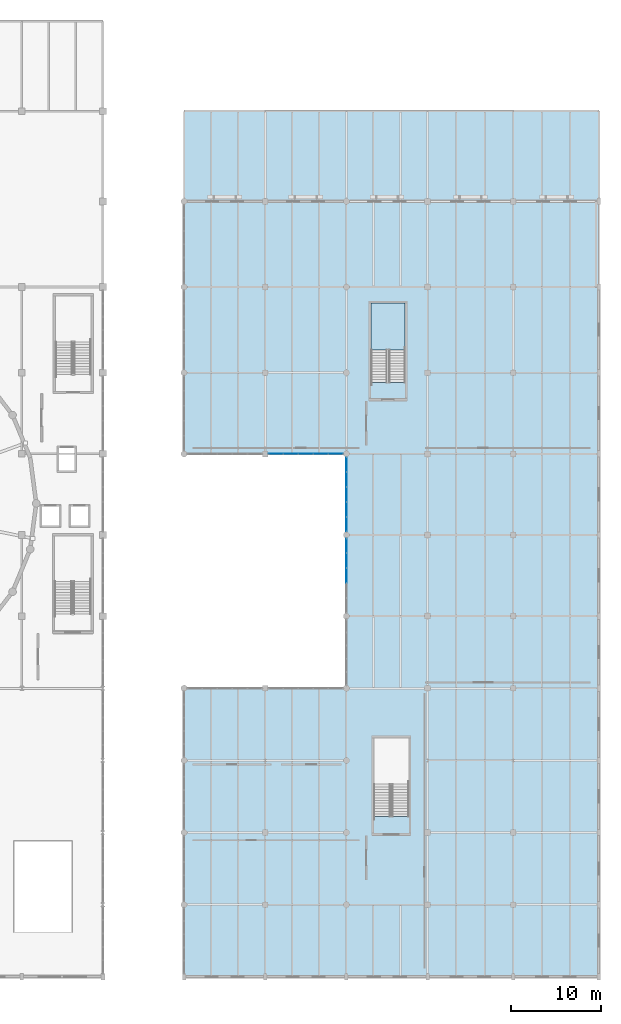
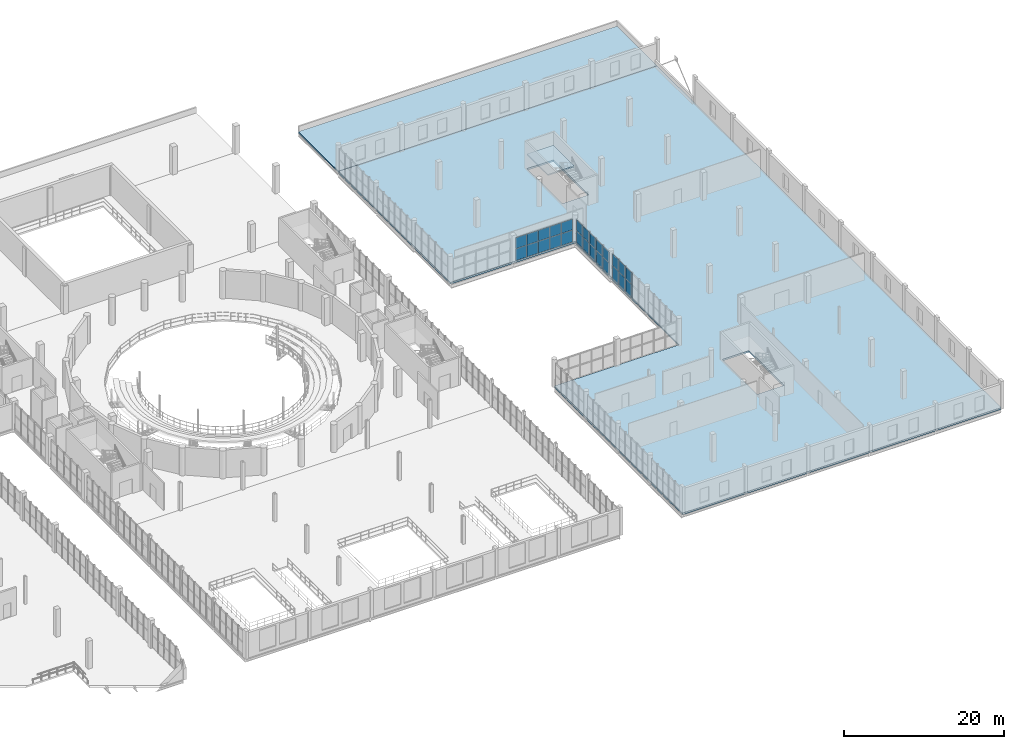
# One storey, part 57 of 85: 26 plates, 3 slabs, 4 elements without a shape of their own.
"""IFC4 building model written with IfcOpenShell, lengths in metres."""

from ifc_helpers import new_model, si_unit, direction, frame, origin, origin_2d, place, context, subcontext, project, spatial, polyline, rectangle, outline, extrude, material, layer, layer_set, type_object, element, aggregate, save


model = new_model("IFC4")

# Units and contexts
model_context = context("Model", 3, precision=1e-05, world=origin(), true_north=direction((0.0, 1.0)))
body_context = subcontext(model_context, "Body", "Model", "MODEL_VIEW")
ifc_project = project(units=[si_unit("LENGTHUNIT", "METRE"), si_unit("AREAUNIT", "SQUARE_METRE"), si_unit("VOLUMEUNIT", "CUBIC_METRE"), si_unit("PLANEANGLEUNIT", "RADIAN"), si_unit("MASSUNIT", "GRAM", prefix="KILO")], contexts=[model_context])

# Site, building, storey
site_placement = place(None, origin())
site = spatial("IfcSite", under=ifc_project, at=site_placement, CompositionType="ELEMENT")
building_placement = place(site_placement, origin())
building = spatial("IfcBuilding", under=site, at=building_placement, Name="Marnock Terrace Opera House", CompositionType="ELEMENT")
storey_placement = place(building_placement, frame((0.0, 0.0, 10.199951171875)))
storey = spatial("IfcBuildingStorey", under=building, at=storey_placement, Name="L02", CompositionType="ELEMENT", Elevation=10.199951171875)

# Curtain wall, plates
ifc_material_1 = material(Name="Anodised architectural bronze aluminium framing", Category="aluminium")
ifc_layer_1 = layer(ifc_material_1, 0.159912109375)
ifc_layer_set_1 = layer_set([ifc_layer_1], Name="Anodised architectural bronze aluminium framing")
curtain_wall_type = type_object("IfcCurtainWallType", Name="CW-LOGGIA-86x42", PredefinedType="NOTDEFINED", material=ifc_layer_set_1)
curtain_wall_1_placement = place(storey_placement, origin())
curtain_wall_1 = element("IfcCurtainWall", 1, at=curtain_wall_1_placement, inside=storey, type_object=curtain_wall_type, Name="L02 glazed Beaux-Arts colonnade curtain wall CW-V5-L02-CE2", PredefinedType="NOTDEFINED")
ifc_material_2 = material(Name="Double-glazed acoustic low-E laminated glass", Category="glass")
ifc_layer_2 = layer(ifc_material_2, 0.028076171875)
ifc_layer_set_2 = layer_set([ifc_layer_2], Name="Double-glazed acoustic low-E laminated glass")
plate_type = type_object("IfcPlateType", Name="CWP-GLZ-28", PredefinedType="CURTAIN_PANEL", material=ifc_layer_set_2)
plate_1_placement = place(storey_placement, frame((136.0, 52.5, 0.06005859375), z_axis=(0.0, 0.0, 1.0), x_axis=(0.0, 1.0, 0.0)))
plate_1 = element("IfcPlate", 2, at=plate_1_placement, type_object=plate_type, Name="CW-66 panel 3.1", PredefinedType="CURTAIN_PANEL", context=body_context, shape_type="SweptSolid", body=[
    extrude(rectangle(XDim=1.6015625, YDim=0.028076171875, at=origin_2d()), origin(), (0.0, 0.0, 1.0), 1.914306640625),
])
plate_2_placement = place(storey_placement, frame((136.0, 52.5, 2.0341796875), z_axis=(0.0, 0.0, 1.0), x_axis=(0.0, 1.0, 0.0)))
plate_2 = element("IfcPlate", 3, at=plate_2_placement, type_object=plate_type, Name="CW-66 panel 3.2", PredefinedType="CURTAIN_PANEL", context=body_context, shape_type="SweptSolid", body=[
    extrude(rectangle(XDim=1.6015625, YDim=0.028076171875, at=origin_2d()), origin(), (0.0, 0.0, 1.0), 1.760009765625),
])
plate_3_placement = place(storey_placement, frame((136.0, 54.16162109375, 0.06005859375), z_axis=(0.0, 0.0, 1.0), x_axis=(0.0, 1.0, 0.0)))
plate_3 = element("IfcPlate", 4, at=plate_3_placement, type_object=plate_type, Name="CW-66 panel 4.1", PredefinedType="CURTAIN_PANEL", context=body_context, shape_type="SweptSolid", body=[
    extrude(rectangle(XDim=1.6015625, YDim=0.028076171875, at=origin_2d()), origin(), (0.0, 0.0, 1.0), 1.914306640625),
])
plate_4_placement = place(storey_placement, frame((136.0, 54.16162109375, 2.0341796875), z_axis=(0.0, 0.0, 1.0), x_axis=(0.0, 1.0, 0.0)))
plate_4 = element("IfcPlate", 5, at=plate_4_placement, type_object=plate_type, Name="CW-66 panel 4.2", PredefinedType="CURTAIN_PANEL", context=body_context, shape_type="SweptSolid", body=[
    extrude(rectangle(XDim=1.6015625, YDim=0.028076171875, at=origin_2d()), origin(), (0.0, 0.0, 1.0), 1.760009765625),
])
plate_5_placement = place(storey_placement, frame((136.0, 55.80810546875, 0.06005859375), z_axis=(0.0, 0.0, 1.0), x_axis=(0.0, 1.0, 0.0)))
plate_5 = element("IfcPlate", 6, at=plate_5_placement, type_object=plate_type, Name="CW-66 panel 5.1", PredefinedType="CURTAIN_PANEL", context=body_context, shape_type="SweptSolid", body=[
    extrude(rectangle(XDim=1.571533203125, YDim=0.028076171875, at=origin_2d()), origin(), (0.0, 0.0, 1.0), 1.914306640625),
])
plate_6_placement = place(storey_placement, frame((136.0, 55.80810546875, 2.0341796875), z_axis=(0.0, 0.0, 1.0), x_axis=(0.0, 1.0, 0.0)))
plate_6 = element("IfcPlate", 7, at=plate_6_placement, type_object=plate_type, Name="CW-66 panel 5.2", PredefinedType="CURTAIN_PANEL", context=body_context, shape_type="SweptSolid", body=[
    extrude(rectangle(XDim=1.571533203125, YDim=0.028076171875, at=origin_2d()), origin(), (0.0, 0.0, 1.0), 1.760009765625),
])
aggregate(curtain_wall_1, [plate_1, plate_2, plate_3, plate_4, plate_5, plate_6])

curtain_wall_2_placement = place(storey_placement, origin())
curtain_wall_2 = element("IfcCurtainWall", 8, at=curtain_wall_2_placement, inside=storey, type_object=curtain_wall_type, Name="L02 glazed Beaux-Arts colonnade curtain wall CW-V5-L02-CE3", PredefinedType="NOTDEFINED")
plate_7_placement = place(storey_placement, frame((136.0, 58.19189453125, 0.06005859375), z_axis=(0.0, 0.0, 1.0), x_axis=(0.0, 1.0, 0.0)))
plate_7 = element("IfcPlate", 9, at=plate_7_placement, type_object=plate_type, Name="CW-66 panel 1.1", PredefinedType="CURTAIN_PANEL", context=body_context, shape_type="SweptSolid", body=[
    extrude(rectangle(XDim=1.571533203125, YDim=0.028076171875, at=origin_2d()), origin(), (0.0, 0.0, 1.0), 1.7861328125),
])
plate_8_placement = place(storey_placement, frame((136.0, 58.19189453125, 1.90625), z_axis=(0.0, 0.0, 1.0), x_axis=(0.0, 1.0, 0.0)))
plate_8 = element("IfcPlate", 10, at=plate_8_placement, type_object=plate_type, Name="CW-66 panel 1.2", PredefinedType="CURTAIN_PANEL", context=body_context, shape_type="SweptSolid", body=[
    extrude(rectangle(XDim=1.571533203125, YDim=0.028076171875, at=origin_2d()), origin(), (0.0, 0.0, 1.0), 1.641845703125),
])
plate_9_placement = place(storey_placement, frame((136.0, 59.83837890625, 0.06005859375), z_axis=(0.0, 0.0, 1.0), x_axis=(0.0, 1.0, 0.0)))
plate_9 = element("IfcPlate", 11, at=plate_9_placement, type_object=plate_type, Name="CW-66 panel 2.1", PredefinedType="CURTAIN_PANEL", context=body_context, shape_type="SweptSolid", body=[
    extrude(rectangle(XDim=1.6015625, YDim=0.028076171875, at=origin_2d()), origin(), (0.0, 0.0, 1.0), 1.7861328125),
])
plate_10_placement = place(storey_placement, frame((136.0, 59.83837890625, 1.90625), z_axis=(0.0, 0.0, 1.0), x_axis=(0.0, 1.0, 0.0)))
plate_10 = element("IfcPlate", 12, at=plate_10_placement, type_object=plate_type, Name="CW-66 panel 2.2", PredefinedType="CURTAIN_PANEL", context=body_context, shape_type="SweptSolid", body=[
    extrude(rectangle(XDim=1.6015625, YDim=0.028076171875, at=origin_2d()), origin(), (0.0, 0.0, 1.0), 1.641845703125),
])
plate_11_placement = place(storey_placement, frame((136.0, 61.5, 0.06005859375), z_axis=(0.0, 0.0, 1.0), x_axis=(0.0, 1.0, 0.0)))
plate_11 = element("IfcPlate", 13, at=plate_11_placement, type_object=plate_type, Name="CW-66 panel 3.1", PredefinedType="CURTAIN_PANEL", context=body_context, shape_type="SweptSolid", body=[
    extrude(rectangle(XDim=1.6015625, YDim=0.028076171875, at=origin_2d()), origin(), (0.0, 0.0, 1.0), 1.7861328125),
])
plate_12_placement = place(storey_placement, frame((136.0, 61.5, 1.90625), z_axis=(0.0, 0.0, 1.0), x_axis=(0.0, 1.0, 0.0)))
plate_12 = element("IfcPlate", 14, at=plate_12_placement, type_object=plate_type, Name="CW-66 panel 3.2", PredefinedType="CURTAIN_PANEL", context=body_context, shape_type="SweptSolid", body=[
    extrude(rectangle(XDim=1.6015625, YDim=0.028076171875, at=origin_2d()), origin(), (0.0, 0.0, 1.0), 1.641845703125),
])
plate_13_placement = place(storey_placement, frame((136.0, 63.16162109375, 0.06005859375), z_axis=(0.0, 0.0, 1.0), x_axis=(0.0, 1.0, 0.0)))
plate_13 = element("IfcPlate", 15, at=plate_13_placement, type_object=plate_type, Name="CW-66 panel 4.1", PredefinedType="CURTAIN_PANEL", context=body_context, shape_type="SweptSolid", body=[
    extrude(rectangle(XDim=1.6015625, YDim=0.028076171875, at=origin_2d()), origin(), (0.0, 0.0, 1.0), 1.7861328125),
])
plate_14_placement = place(storey_placement, frame((136.0, 63.16162109375, 1.90625), z_axis=(0.0, 0.0, 1.0), x_axis=(0.0, 1.0, 0.0)))
plate_14 = element("IfcPlate", 16, at=plate_14_placement, type_object=plate_type, Name="CW-66 panel 4.2", PredefinedType="CURTAIN_PANEL", context=body_context, shape_type="SweptSolid", body=[
    extrude(rectangle(XDim=1.6015625, YDim=0.028076171875, at=origin_2d()), origin(), (0.0, 0.0, 1.0), 1.641845703125),
])
plate_15_placement = place(storey_placement, frame((136.0, 64.80810546875, 0.06005859375), z_axis=(0.0, 0.0, 1.0), x_axis=(0.0, 1.0, 0.0)))
plate_15 = element("IfcPlate", 17, at=plate_15_placement, type_object=plate_type, Name="CW-66 panel 5.1", PredefinedType="CURTAIN_PANEL", context=body_context, shape_type="SweptSolid", body=[
    extrude(rectangle(XDim=1.571533203125, YDim=0.028076171875, at=origin_2d()), origin(), (0.0, 0.0, 1.0), 1.7861328125),
])
plate_16_placement = place(storey_placement, frame((136.0, 64.80810546875, 1.90625), z_axis=(0.0, 0.0, 1.0), x_axis=(0.0, 1.0, 0.0)))
plate_16 = element("IfcPlate", 18, at=plate_16_placement, type_object=plate_type, Name="CW-66 panel 5.2", PredefinedType="CURTAIN_PANEL", context=body_context, shape_type="SweptSolid", body=[
    extrude(rectangle(XDim=1.571533203125, YDim=0.028076171875, at=origin_2d()), origin(), (0.0, 0.0, 1.0), 1.641845703125),
])
aggregate(curtain_wall_2, [plate_7, plate_8, plate_9, plate_10, plate_11, plate_12, plate_13, plate_14, plate_15, plate_16])

curtain_wall_3_placement = place(storey_placement, origin())
curtain_wall_3 = element("IfcCurtainWall", 19, at=curtain_wall_3_placement, inside=storey, type_object=curtain_wall_type, Name="L02 glazed Beaux-Arts colonnade curtain wall CW-V5-L02-CN2", PredefinedType="NOTDEFINED")
plate_17_placement = place(storey_placement, frame((128.169189453125, 66.0, 0.06005859375), z_axis=(0.0, 0.0, 1.0), x_axis=(1.0, 0.0, 0.0)))
plate_17 = element("IfcPlate", 20, at=plate_17_placement, type_object=plate_type, Name="CW-66 panel 1.1", PredefinedType="CURTAIN_PANEL", context=body_context, shape_type="SweptSolid", body=[
    extrude(rectangle(XDim=1.57666015625, YDim=0.028076171875, at=origin_2d()), origin(), (0.0, 0.0, 1.0), 1.78125),
])
plate_18_placement = place(storey_placement, frame((128.169189453125, 66.0, 1.9013671875), z_axis=(0.0, 0.0, 1.0), x_axis=(1.0, 0.0, 0.0)))
plate_18 = element("IfcPlate", 21, at=plate_18_placement, type_object=plate_type, Name="CW-66 panel 1.2", PredefinedType="CURTAIN_PANEL", context=body_context, shape_type="SweptSolid", body=[
    extrude(rectangle(XDim=1.57666015625, YDim=0.028076171875, at=origin_2d()), origin(), (0.0, 0.0, 1.0), 1.63720703125),
])
plate_19_placement = place(storey_placement, frame((129.82080078125, 66.0, 0.06005859375), z_axis=(0.0, 0.0, 1.0), x_axis=(1.0, 0.0, 0.0)))
plate_19 = element("IfcPlate", 22, at=plate_19_placement, type_object=plate_type, Name="CW-66 panel 2.1", PredefinedType="CURTAIN_PANEL", context=body_context, shape_type="SweptSolid", body=[
    extrude(rectangle(XDim=1.606689453125, YDim=0.028076171875, at=origin_2d()), origin(), (0.0, 0.0, 1.0), 1.78125),
])
plate_20_placement = place(storey_placement, frame((129.82080078125, 66.0, 1.9013671875), z_axis=(0.0, 0.0, 1.0), x_axis=(1.0, 0.0, 0.0)))
plate_20 = element("IfcPlate", 23, at=plate_20_placement, type_object=plate_type, Name="CW-66 panel 2.2", PredefinedType="CURTAIN_PANEL", context=body_context, shape_type="SweptSolid", body=[
    extrude(rectangle(XDim=1.606689453125, YDim=0.028076171875, at=origin_2d()), origin(), (0.0, 0.0, 1.0), 1.63720703125),
])
plate_21_placement = place(storey_placement, frame((131.487548828125, 66.0, 0.06005859375), z_axis=(0.0, 0.0, 1.0), x_axis=(1.0, 0.0, 0.0)))
plate_21 = element("IfcPlate", 24, at=plate_21_placement, type_object=plate_type, Name="CW-66 panel 3.1", PredefinedType="CURTAIN_PANEL", context=body_context, shape_type="SweptSolid", body=[
    extrude(rectangle(XDim=1.606689453125, YDim=0.028076171875, at=origin_2d()), origin(), (0.0, 0.0, 1.0), 1.78125),
])
plate_22_placement = place(storey_placement, frame((131.487548828125, 66.0, 1.9013671875), z_axis=(0.0, 0.0, 1.0), x_axis=(1.0, 0.0, 0.0)))
plate_22 = element("IfcPlate", 25, at=plate_22_placement, type_object=plate_type, Name="CW-66 panel 3.2", PredefinedType="CURTAIN_PANEL", context=body_context, shape_type="SweptSolid", body=[
    extrude(rectangle(XDim=1.606689453125, YDim=0.028076171875, at=origin_2d()), origin(), (0.0, 0.0, 1.0), 1.63720703125),
])
plate_23_placement = place(storey_placement, frame((133.154052734375, 66.0, 0.06005859375), z_axis=(0.0, 0.0, 1.0), x_axis=(1.0, 0.0, 0.0)))
plate_23 = element("IfcPlate", 26, at=plate_23_placement, type_object=plate_type, Name="CW-66 panel 4.1", PredefinedType="CURTAIN_PANEL", context=body_context, shape_type="SweptSolid", body=[
    extrude(rectangle(XDim=1.606689453125, YDim=0.028076171875, at=origin_2d()), origin(), (0.0, 0.0, 1.0), 1.78125),
])
plate_24_placement = place(storey_placement, frame((133.154052734375, 66.0, 1.9013671875), z_axis=(0.0, 0.0, 1.0), x_axis=(1.0, 0.0, 0.0)))
plate_24 = element("IfcPlate", 27, at=plate_24_placement, type_object=plate_type, Name="CW-66 panel 4.2", PredefinedType="CURTAIN_PANEL", context=body_context, shape_type="SweptSolid", body=[
    extrude(rectangle(XDim=1.606689453125, YDim=0.028076171875, at=origin_2d()), origin(), (0.0, 0.0, 1.0), 1.63720703125),
])
plate_25_placement = place(storey_placement, frame((134.8056640625, 66.0, 0.06005859375), z_axis=(0.0, 0.0, 1.0), x_axis=(1.0, 0.0, 0.0)))
plate_25 = element("IfcPlate", 28, at=plate_25_placement, type_object=plate_type, Name="CW-66 panel 5.1", PredefinedType="CURTAIN_PANEL", context=body_context, shape_type="SweptSolid", body=[
    extrude(rectangle(XDim=1.57666015625, YDim=0.028076171875, at=origin_2d()), origin(), (0.0, 0.0, 1.0), 1.78125),
])
plate_26_placement = place(storey_placement, frame((134.8056640625, 66.0, 1.9013671875), z_axis=(0.0, 0.0, 1.0), x_axis=(1.0, 0.0, 0.0)))
plate_26 = element("IfcPlate", 29, at=plate_26_placement, type_object=plate_type, Name="CW-66 panel 5.2", PredefinedType="CURTAIN_PANEL", context=body_context, shape_type="SweptSolid", body=[
    extrude(rectangle(XDim=1.57666015625, YDim=0.028076171875, at=origin_2d()), origin(), (0.0, 0.0, 1.0), 1.63720703125),
])
aggregate(curtain_wall_3, [plate_17, plate_18, plate_19, plate_20, plate_21, plate_22, plate_23, plate_24, plate_25, plate_26])

# Slab
ifc_material_3 = material(Name="Concrete N40 (f'c = 40 MPa)", Category="concrete")
ifc_layer_3 = layer(ifc_material_3, 0.260009765625)
ifc_layer_set_3 = layer_set([ifc_layer_3], Name="Concrete N40 (f'c = 40 MPa)")
slab_type_1 = type_object("IfcSlabType", Name="SL-FLR-260", PredefinedType="FLOOR", material=ifc_layer_set_3)
slab_1_placement = place(storey_placement, frame((0.0, 0.0, -0.260009765625)))
element("IfcSlab", 30, at=slab_1_placement, inside=storey, type_object=slab_type_1, Name="L02 Artist Suites C-wing floor slab", PredefinedType="FLOOR", context=body_context, shape_type="SweptSolid", body=[
    extrude(outline(polyline([(118.0, 8.0), (164.0, 8.0), (164.0, 94.0), (118.0, 94.0), (118.0, 66.0), (136.0, 66.0), (136.0, 40.0), (118.0, 40.0), (118.0, 8.0)]), holes=[polyline([(142.919921875, 25.760009765625), (142.919921875, 34.52001953125), (139.0400390625, 34.52001953125), (139.0400390625, 25.760009765625), (142.919921875, 25.760009765625)]), polyline([(142.52001953125, 73.919921875), (142.52001953125, 82.719970703125), (138.719970703125, 82.719970703125), (138.719970703125, 73.919921875), (142.52001953125, 73.919921875)])]), origin(), (0.0, 0.0, 1.0), 0.260009765625),
])

# Stair, slab
stair_type = type_object("IfcStairType", Name="ST-TYPE-2000", PredefinedType="HALF_TURN_STAIR", material=ifc_material_3)
stair_placement = place(storey_placement, origin())
stair = element("IfcStair", 31, at=stair_placement, inside=storey, type_object=stair_type, Name="L02 ST-08", PredefinedType="HALF_TURN_STAIR")
ifc_material_4 = material(Name="Concrete N32 (f'c = 32 MPa)", Category="concrete")
ifc_layer_4 = layer(ifc_material_4, 0.199951171875)
ifc_layer_set_4 = layer_set([ifc_layer_4], Name="Concrete N32 (f'c = 32 MPa)")
slab_type_2 = type_object("IfcSlabType", Name="SL-LAND-200", PredefinedType="LANDING", material=ifc_layer_set_4)
slab_2_placement = place(storey_placement, frame((0.0, 0.0, 2.050048828125)))
slab_2 = element("IfcSlab", 32, at=slab_2_placement, type_object=slab_type_2, Name="ST-08 landing 1", PredefinedType="LANDING", context=body_context, shape_type="SweptSolid", body=[
    extrude(outline(polyline([(142.52001953125, 77.52001953125), (142.52001953125, 82.719970703125), (138.719970703125, 82.719970703125), (138.719970703125, 77.52001953125), (142.52001953125, 77.52001953125)])), origin(), (0.0, 0.0, 1.0), 0.199951171875),
])
aggregate(stair, [slab_2])

# Slab
ifc_layer_5 = layer(ifc_material_3, 0.219970703125)
ifc_layer_set_5 = layer_set([ifc_layer_5], Name="Concrete N40 (f'c = 40 MPa)")
slab_type_3 = type_object("IfcSlabType", Name="SL-ROOF-220", PredefinedType="ROOF", material=ifc_layer_set_5)
slab_3_placement = place(storey_placement, frame((0.0, 0.0, -0.219970703125)))
element("IfcSlab", 33, at=slab_3_placement, inside=storey, type_object=slab_type_3, Name="L02 structural roof slab SL-ROOF-V5-STEP-L02", PredefinedType="ROOF", context=body_context, shape_type="SweptSolid", body=[
    extrude(outline(polyline([(118.0, 94.0), (164.0, 94.0), (164.0, 104.0), (118.0, 104.0), (118.0, 94.0)])), origin(), (0.0, 0.0, 1.0), 0.219970703125),
])

save(model, "model.ifc")
